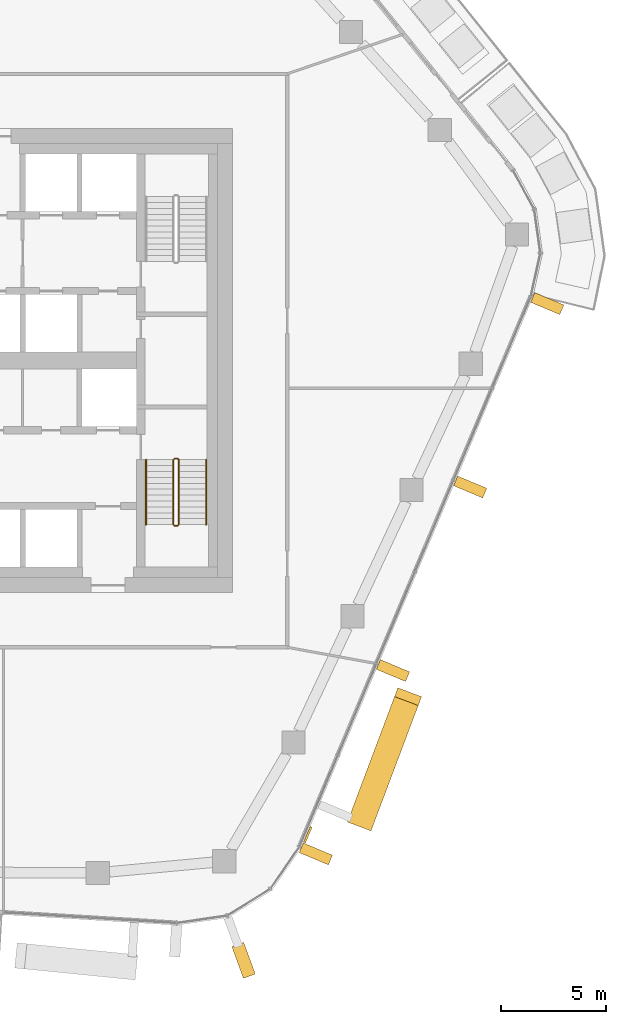
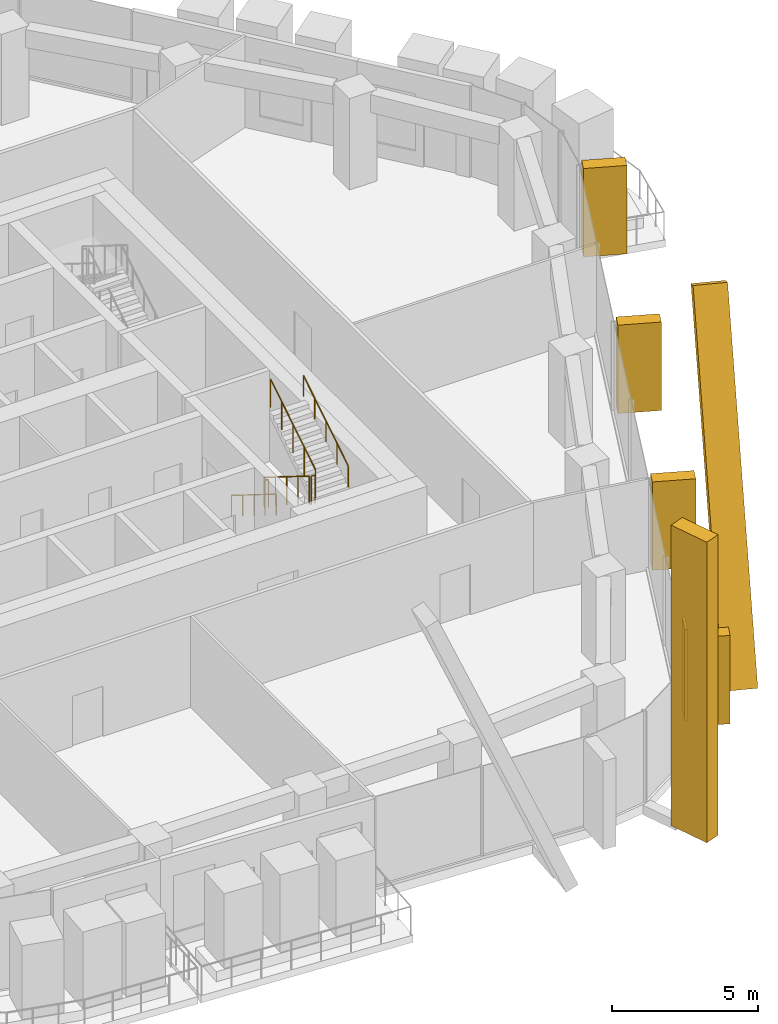
# One storey, part 17 of 20: 7 coverings, 6 railings, 2 elements without a shape of their own.
"""IFC4 building model written with IfcOpenShell, lengths in metres."""

from ifc_helpers import new_model, si_unit, direction, frame, origin, origin_2d, place, context, subcontext, project, spatial, rectangle, circle, extrude, material, layer, layer_set, material_profile, profile_set, type_object, element, aggregate, save


model = new_model("IFC4")

# Units and contexts
model_context = context("Model", 3, precision=1e-05, world=origin(), true_north=direction((0.0, 1.0)))
body_context = subcontext(model_context, "Body", "Model", "MODEL_VIEW")
ifc_project = project(units=[si_unit("LENGTHUNIT", "METRE"), si_unit("AREAUNIT", "SQUARE_METRE"), si_unit("VOLUMEUNIT", "CUBIC_METRE"), si_unit("PLANEANGLEUNIT", "RADIAN"), si_unit("MASSUNIT", "GRAM", prefix="KILO")], contexts=[model_context])

# Site, building, storey
site_placement = place(None, origin())
site = spatial("IfcSite", under=ifc_project, at=site_placement, CompositionType="ELEMENT")
building_placement = place(site_placement, origin())
building = spatial("IfcBuilding", under=site, at=building_placement, Name="Dongbaek Canopy Tower", CompositionType="ELEMENT")
storey_placement = place(building_placement, frame((0.0, 0.0, 253.800048828125)))
storey = spatial("IfcBuildingStorey", under=building, at=storey_placement, Name="L53", CompositionType="ELEMENT", Elevation=253.800048828125)

# Curtain wall, covering
ifc_material_1 = material(Name="Aluminium 6063-T6 pale anodised", Category="aluminium")
ifc_layer_1 = layer(ifc_material_1, 0.199951171875)
ifc_layer_set_1 = layer_set([ifc_layer_1], Name="CW-1 unitised tower curtain wall")
curtain_wall_type = type_object("IfcCurtainWallType", Name="CW-1 unitised tower curtain wall", PredefinedType="NOTDEFINED", material=ifc_layer_set_1)
curtain_wall_1_placement = place(storey_placement, origin())
curtain_wall_1 = element("IfcCurtainWall", 1, at=curtain_wall_1_placement, inside=storey, type_object=curtain_wall_type, Name="CW-1 curtain wall K5.1", PredefinedType="NOTDEFINED")
ifc_material_2 = material(Name="Aluminium 6063-T6 pale metal fin", Category="aluminium")
ifc_material_profile_1 = material_profile(ifc_material_2, rectangle(XDim=1.60009765625, YDim=0.60009765625, at=origin_2d()), Name="Corner fin CN1 600 x 1600 pale metal")
ifc_profile_set_1 = profile_set([ifc_material_profile_1], Name="Aluminium 6063-T6 pale metal fin")
covering_type_1 = type_object("IfcCoveringType", Name="Corner fin CN1 600 x 1600 pale metal", PredefinedType="CLADDING", material=ifc_profile_set_1)
covering_1_placement = place(storey_placement, frame((14.527099609375, -28.447021484375, -0.18994140625), z_axis=(0.0, 0.0, 1.0), x_axis=(0.343241708253, -0.939247107909, 0.0)))
covering_1 = element("IfcCovering", 2, at=covering_1_placement, type_object=covering_type_1, Name="Corner fin L53 L55 K5", PredefinedType="CLADDING", context=body_context, shape_type="SweptSolid", body=[
    extrude(rectangle(XDim=1.60009765625, YDim=0.60009765625, at=origin_2d()), origin(), (0.0, 0.0, 1.0), 12.579833984375),
])
aggregate(curtain_wall_1, [covering_1])

# Curtain wall, coverings
curtain_wall_2_placement = place(storey_placement, origin())
curtain_wall_2 = element("IfcCurtainWall", 3, at=curtain_wall_2_placement, inside=storey, type_object=curtain_wall_type, Name="CW-1 curtain wall F5.1", PredefinedType="NOTDEFINED")
ifc_material_3 = material(Name="Aluminium 6063-T6 pale metal fin", Category="aluminium")
ifc_material_profile_2 = material_profile(ifc_material_3, rectangle(XDim=1.199951171875, YDim=0.5, at=origin_2d()), Name="Crease fin CF1 500 x 1200 pale metal")
ifc_profile_set_2 = profile_set([ifc_material_profile_2], Name="Aluminium 6063-T6 pale metal fin")
covering_type_2 = type_object("IfcCoveringType", Name="Crease fin CF1 500 x 1200 pale metal", PredefinedType="CLADDING", material=ifc_profile_set_2)
covering_2_placement = place(storey_placement, frame((20.08984375, -21.88818359375, -0.18994140625), z_axis=(0.158691829039, 0.421511655351, 0.892829674574), x_axis=(-0.935872196669, 0.352339653603, 0.0)))
covering_2 = element("IfcCovering", 4, at=covering_2_placement, type_object=covering_type_2, Name="Crease fin L53 L56 F5", PredefinedType="CLADDING", context=body_context, shape_type="SweptSolid", body=[
    extrude(rectangle(XDim=1.199951171875, YDim=0.5, at=origin_2d()), origin(), (0.0, 0.0, 1.0), 14.1123046875),
])
ifc_material_4 = material(Name="Perforated aluminium 6063-T6 pale metal screen", Category="aluminium")
ifc_layer_2 = layer(ifc_material_4, 0.10009765625)
ifc_layer_set_2 = layer_set([ifc_layer_2], Name="Facet screen FS1 100 pale metal")
covering_type_3 = type_object("IfcCoveringType", Name="Facet screen FS1 100 pale metal", PredefinedType="CLADDING", material=ifc_layer_set_2)
covering_3_placement = place(storey_placement, frame((17.576416015625, -22.485595703125, 0.0), z_axis=(0.0, 0.0, 1.0), x_axis=(0.387695781976, 0.92178738364, 0.0)))
covering_3 = element("IfcCovering", 5, at=covering_3_placement, type_object=covering_type_3, Name="Facet screen L53 F5", PredefinedType="CLADDING", context=body_context, shape_type="SweptSolid", body=[
    extrude(rectangle(XDim=0.81103515625, YDim=0.10009765625, at=origin_2d()), origin(), (0.0, 0.0, 1.0), 3.820068359375),
])
ifc_material_5 = material(Name="Aluminium 6063-T6 pale metal fin", Category="aluminium")
ifc_material_profile_3 = material_profile(ifc_material_5, rectangle(XDim=1.5, YDim=0.5, at=origin_2d()), Name="Fin FN1 500 x 1500 pale metal")
ifc_profile_set_3 = profile_set([ifc_material_profile_3], Name="Aluminium 6063-T6 pale metal fin")
covering_type_4 = type_object("IfcCoveringType", Name="Fin FN1 500 x 1500 pale metal", PredefinedType="CLADDING", material=ifc_profile_set_3)
covering_4_placement = place(storey_placement, frame((17.955810546875, -23.399658203125, 0.119873046875), z_axis=(0.0, 0.0, 1.0), x_axis=(0.92178748934, -0.387695530662, 0.0)))
covering_4 = element("IfcCovering", 6, at=covering_4_placement, type_object=covering_type_4, Name="Fin F5.1.1", PredefinedType="CLADDING", context=body_context, shape_type="SweptSolid", body=[
    extrude(rectangle(XDim=1.5, YDim=0.5, at=origin_2d()), origin(), (0.0, 0.0, 1.0), 3.7001953125),
])
covering_5_placement = place(storey_placement, frame((21.613525390625, -14.703125, 0.119873046875), z_axis=(0.0, 0.0, 1.0), x_axis=(0.92178748934, -0.387695530662, 0.0)))
covering_5 = element("IfcCovering", 7, at=covering_5_placement, type_object=covering_type_4, Name="Fin F5.1.3", PredefinedType="CLADDING", context=body_context, shape_type="SweptSolid", body=[
    extrude(rectangle(XDim=1.5, YDim=0.5, at=origin_2d()), origin(), (0.0, 0.0, 1.0), 3.7001953125),
])
covering_6_placement = place(storey_placement, frame((25.275146484375, -5.9970703125, 0.119873046875), z_axis=(0.0, 0.0, 1.0), x_axis=(0.92178748934, -0.387695530662, 0.0)))
covering_6 = element("IfcCovering", 8, at=covering_6_placement, type_object=covering_type_4, Name="Fin F5.1.5", PredefinedType="CLADDING", context=body_context, shape_type="SweptSolid", body=[
    extrude(rectangle(XDim=1.5, YDim=0.5, at=origin_2d()), origin(), (0.0, 0.0, 1.0), 3.7001953125),
])
covering_7_placement = place(storey_placement, frame((28.933349609375, 2.70068359375, 0.119873046875), z_axis=(0.0, 0.0, 1.0), x_axis=(0.92178748934, -0.387695530662, 0.0)))
covering_7 = element("IfcCovering", 9, at=covering_7_placement, type_object=covering_type_4, Name="Fin F5.1.7", PredefinedType="CLADDING", context=body_context, shape_type="SweptSolid", body=[
    extrude(rectangle(XDim=1.5, YDim=0.5, at=origin_2d()), origin(), (0.0, 0.0, 1.0), 3.7001953125),
])
aggregate(curtain_wall_2, [covering_4, covering_5, covering_6, covering_7, covering_2, covering_3])

# Railings
ifc_material_6 = material(Name="Stainless steel tube and balusters", Category="steel")
railing_type_1 = type_object("IfcRailingType", Name="Stair guard 1200", PredefinedType="GUARDRAIL", material=ifc_material_6)
railing_1_placement = place(storey_placement, frame((11.199951171875, -4.699951171875, 0.175048828125)))
element("IfcRailing", 10, at=railing_1_placement, inside=storey, type_object=railing_type_1, Name="L53 ST-B stair guard 1", PredefinedType="GUARDRAIL", context=body_context, shape_type="SweptSolid", body=[
    extrude(circle(Radius=0.02392578125, at=origin_2d()), frame((0.0, 0.0, 1.17578125), z_axis=(0.0, -0.848028513186, 0.529950602248), x_axis=(1.0, 0.0, 0.0)), (0.0, 0.0, 1.0), 3.632080078125),
    extrude(circle(Radius=0.02099609375, at=origin_2d()), origin(), (0.0, 0.0, 1.0), 1.15185546875),
    extrude(circle(Radius=0.02099609375, at=origin_2d()), frame((0.0, -0.77001953125, 0.481201171875)), (0.0, 0.0, 1.0), 1.15185546875),
    extrude(circle(Radius=0.02099609375, at=origin_2d()), frame((0.0, -1.5400390625, 0.96240234375)), (0.0, 0.0, 1.0), 1.15185546875),
    extrude(circle(Radius=0.02099609375, at=origin_2d()), frame((0.0, -2.31005859375, 1.443603515625)), (0.0, 0.0, 1.0), 1.15185546875),
    extrude(circle(Radius=0.02099609375, at=origin_2d()), frame((0.0, -3.080078125, 1.9248046875)), (0.0, 0.0, 1.0), 1.15185546875),
])
railing_2_placement = place(storey_placement, frame((11.25, -7.830078125, 2.099853515625)))
element("IfcRailing", 11, at=railing_2_placement, inside=storey, type_object=railing_type_1, Name="L53 ST-B stair guard 2", PredefinedType="GUARDRAIL", context=body_context, shape_type="SweptSolid", body=[
    extrude(circle(Radius=0.02392578125, at=origin_2d()), frame((0.0, 0.0, 1.17578125), z_axis=(1.0, 0.0, 0.0), x_axis=(0.0, 1.0, 0.0)), (0.0, 0.0, 1.0), 0.14990234375),
    extrude(circle(Radius=0.02099609375, at=origin_2d()), origin(), (0.0, 0.0, 1.0), 1.15185546875),
    extrude(circle(Radius=0.02099609375, at=origin_2d()), frame((0.14990234375, 0.0, 0.0)), (0.0, 0.0, 1.0), 1.15185546875),
])
railing_3_placement = place(storey_placement, frame((11.449951171875, -7.780029296875, 2.27490234375)))
element("IfcRailing", 12, at=railing_3_placement, inside=storey, type_object=railing_type_1, Name="L53 ST-B stair guard 3", PredefinedType="GUARDRAIL", context=body_context, shape_type="SweptSolid", body=[
    extrude(circle(Radius=0.02392578125, at=origin_2d()), frame((0.0, 0.0, 1.17578125), z_axis=(0.0, 0.847998304005, 0.529998940003), x_axis=(-1.0, 0.0, 0.0)), (0.0, 0.0, 1.0), 3.632080078125),
    extrude(circle(Radius=0.02099609375, at=origin_2d()), origin(), (0.0, 0.0, 1.0), 1.15185546875),
    extrude(circle(Radius=0.02099609375, at=origin_2d()), frame((0.0, 0.77001953125, 0.481201171875)), (0.0, 0.0, 1.0), 1.15185546875),
    extrude(circle(Radius=0.02099609375, at=origin_2d()), frame((0.0, 1.5400390625, 0.96240234375)), (0.0, 0.0, 1.0), 1.15185546875),
    extrude(circle(Radius=0.02099609375, at=origin_2d()), frame((0.0, 2.31005859375, 1.44384765625)), (0.0, 0.0, 1.0), 1.15185546875),
    extrude(circle(Radius=0.02099609375, at=origin_2d()), frame((0.0, 3.080078125, 1.925048828125)), (0.0, 0.0, 1.0), 1.15185546875),
])
railing_4_placement = place(storey_placement, frame((11.25, -4.64990234375, 0.0)))
element("IfcRailing", 13, at=railing_4_placement, inside=storey, type_object=railing_type_1, Name="L53 ST-B stair guard 4", PredefinedType="GUARDRAIL", context=body_context, shape_type="SweptSolid", body=[
    extrude(circle(Radius=0.02392578125, at=origin_2d()), frame((0.0, 0.0, 1.17578125), z_axis=(1.0, 0.0, 0.0), x_axis=(0.0, 1.0, 0.0)), (0.0, 0.0, 1.0), 0.14990234375),
    extrude(circle(Radius=0.02099609375, at=origin_2d()), origin(), (0.0, 0.0, 1.0), 1.15185546875),
    extrude(circle(Radius=0.02099609375, at=origin_2d()), frame((0.14990234375, 0.0, 0.0)), (0.0, 0.0, 1.0), 1.15185546875),
])
ifc_material_7 = material(Name="Stainless steel tube", Category="steel")
railing_type_2 = type_object("IfcRailingType", Name="Stair handrail 900", PredefinedType="HANDRAIL", material=ifc_material_7)
railing_5_placement = place(storey_placement, frame((9.89990234375, -4.699951171875, 0.175048828125)))
element("IfcRailing", 14, at=railing_5_placement, inside=storey, type_object=railing_type_2, Name="L53 ST-B stair handrail 1", PredefinedType="HANDRAIL", context=body_context, shape_type="SweptSolid", body=[
    extrude(circle(Radius=0.02392578125, at=origin_2d()), frame((0.0, 0.0, 0.8759765625), z_axis=(0.0, -0.848028513186, 0.529950602248), x_axis=(1.0, 0.0, 0.0)), (0.0, 0.0, 1.0), 3.632080078125),
    extrude(circle(Radius=0.02099609375, at=origin_2d()), origin(), (0.0, 0.0, 1.0), 0.851806640625),
    extrude(circle(Radius=0.02099609375, at=origin_2d()), frame((0.0, -0.77001953125, 0.481201171875)), (0.0, 0.0, 1.0), 0.851806640625),
    extrude(circle(Radius=0.02099609375, at=origin_2d()), frame((0.0, -1.5400390625, 0.96240234375)), (0.0, 0.0, 1.0), 0.851806640625),
    extrude(circle(Radius=0.02099609375, at=origin_2d()), frame((0.0, -2.31005859375, 1.443603515625)), (0.0, 0.0, 1.0), 0.851806640625),
    extrude(circle(Radius=0.02099609375, at=origin_2d()), frame((0.0, -3.080078125, 1.9248046875)), (0.0, 0.0, 1.0), 0.851806640625),
])
railing_6_placement = place(storey_placement, frame((12.75, -7.780029296875, 2.27490234375)))
element("IfcRailing", 15, at=railing_6_placement, inside=storey, type_object=railing_type_2, Name="L53 ST-B stair handrail 2", PredefinedType="HANDRAIL", context=body_context, shape_type="SweptSolid", body=[
    extrude(circle(Radius=0.02392578125, at=origin_2d()), frame((0.0, 0.0, 0.8759765625), z_axis=(0.0, 0.847998304005, 0.529998940003), x_axis=(-1.0, 0.0, 0.0)), (0.0, 0.0, 1.0), 3.632080078125),
    extrude(circle(Radius=0.02099609375, at=origin_2d()), origin(), (0.0, 0.0, 1.0), 0.851806640625),
    extrude(circle(Radius=0.02099609375, at=origin_2d()), frame((0.0, 0.77001953125, 0.481201171875)), (0.0, 0.0, 1.0), 0.851806640625),
    extrude(circle(Radius=0.02099609375, at=origin_2d()), frame((0.0, 1.5400390625, 0.96240234375)), (0.0, 0.0, 1.0), 0.851806640625),
    extrude(circle(Radius=0.02099609375, at=origin_2d()), frame((0.0, 2.31005859375, 1.44384765625)), (0.0, 0.0, 1.0), 0.851806640625),
    extrude(circle(Radius=0.02099609375, at=origin_2d()), frame((0.0, 3.080078125, 1.925048828125)), (0.0, 0.0, 1.0), 0.851806640625),
])

save(model, "model.ifc")
